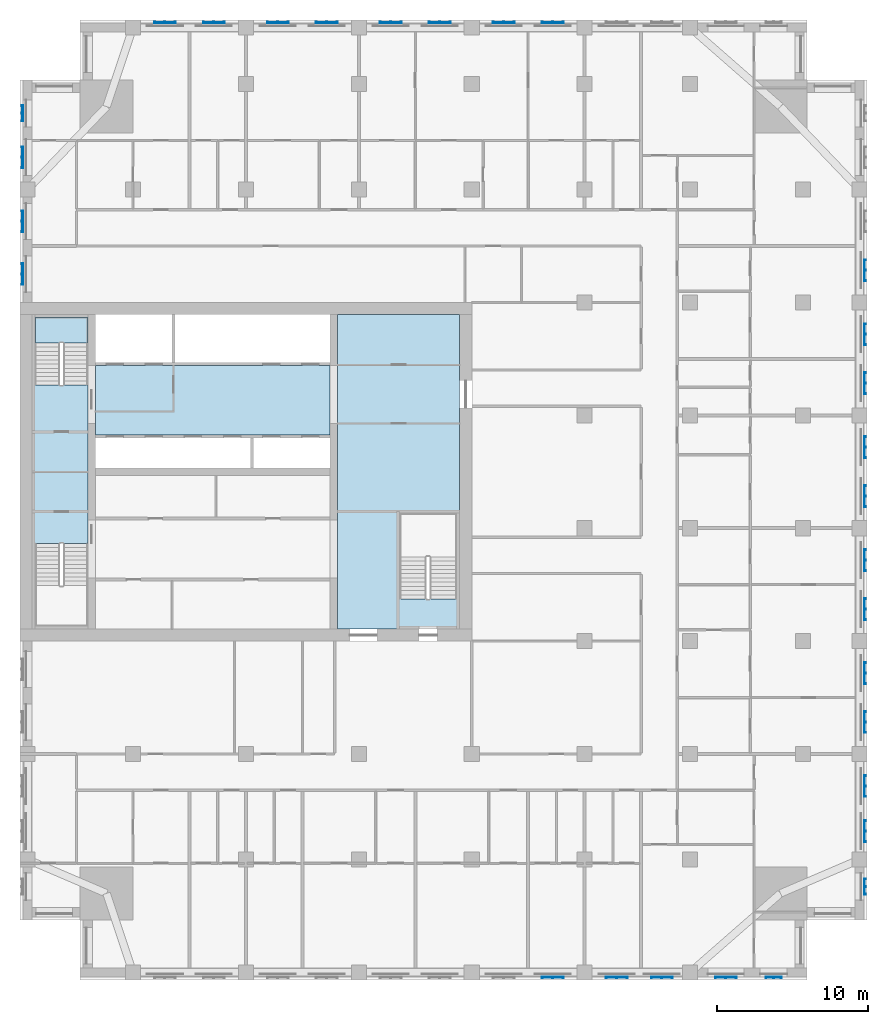
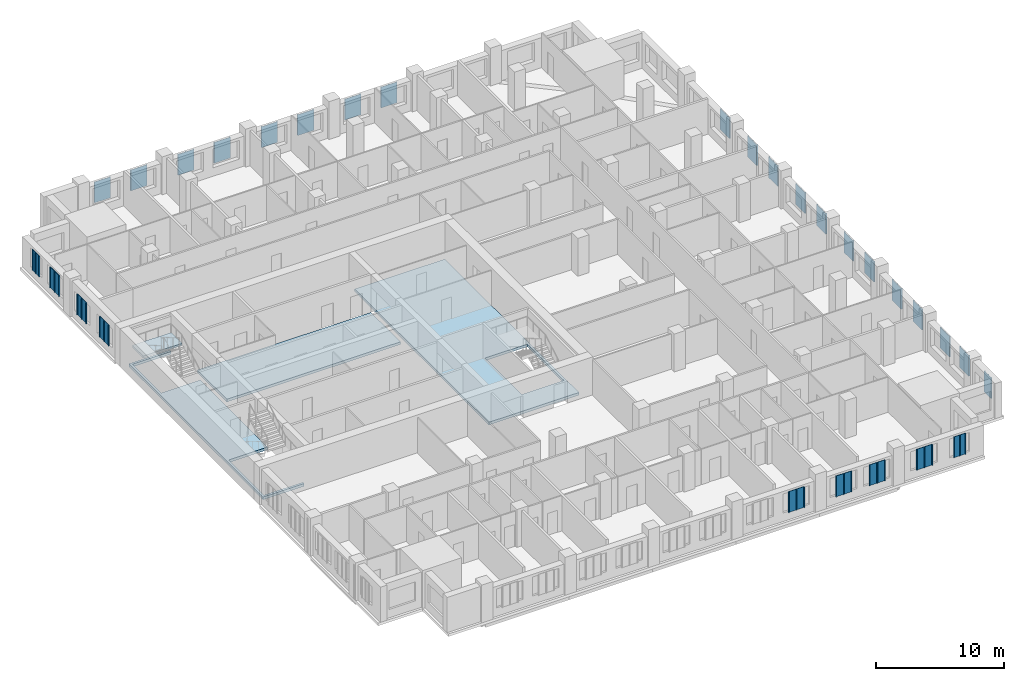
# One storey, part 2 of 14: 29 plates, 4 slabs, 1 element without a shape of its own.
"""IFC4 building model written with IfcOpenShell, lengths in metres."""

from ifc_helpers import new_model, si_unit, direction, frame, origin, place, context, subcontext, project, spatial, polyline, outline, extrude, material, layer, layer_set, type_object, element, aggregate, save


model = new_model("IFC4")

# Units and contexts
model_context = context("Model", 3, precision=1e-05, world=origin(), true_north=direction((0.0, 1.0)))
body_context = subcontext(model_context, "Body", "Model", "MODEL_VIEW")
ifc_project = project(units=[si_unit("LENGTHUNIT", "METRE"), si_unit("AREAUNIT", "SQUARE_METRE"), si_unit("VOLUMEUNIT", "CUBIC_METRE"), si_unit("PLANEANGLEUNIT", "RADIAN"), si_unit("MASSUNIT", "GRAM", prefix="KILO")], contexts=[model_context])

# Site, building, storey
site_placement = place(None, origin())
site = spatial("IfcSite", under=ifc_project, at=site_placement, CompositionType="ELEMENT")
building_placement = place(site_placement, origin())
building = spatial("IfcBuilding", under=site, at=building_placement, Name="Tamorin Gate", CompositionType="ELEMENT")
storey_placement = place(building_placement, frame((0.0, 0.0, 141.0)))
storey = spatial("IfcBuildingStorey", under=building, at=storey_placement, Name="L34", CompositionType="ELEMENT", Elevation=141.0)

# Slabs
ifc_material_1 = material(Name="Concrete C40/50", Category="concrete")
ifc_layer_1 = layer(ifc_material_1, 0.25)
ifc_layer_set_1 = layer_set([ifc_layer_1], Name="Core floor slab 250 C40/50")
slab_type_1 = type_object("IfcSlabType", Name="Core floor slab 250 C40/50", PredefinedType="FLOOR", material=ifc_layer_set_1)
slab_1_placement = place(storey_placement, frame((0.0, 0.0, -0.25)))
element("IfcSlab", 1, at=slab_1_placement, inside=storey, type_object=slab_type_1, Name="Core floor L34", PredefinedType="FLOOR", context=body_context, shape_type="SweptSolid", body=[
    extrude(outline(polyline([(51.10009765625, 81.699951171875), (59.199951171875, 81.699951171875), (59.199951171875, 60.800048828125), (51.10009765625, 60.800048828125), (51.10009765625, 81.699951171875)]), holes=[polyline([(55.199951171875, 62.800048828125), (59.0, 62.800048828125), (59.0, 68.5), (55.199951171875, 68.5), (55.199951171875, 62.800048828125)])]), origin(), (0.0, 0.0, 1.0), 0.25),
])
slab_2_placement = place(storey_placement, frame((0.0, 0.0, -0.25)))
element("IfcSlab", 2, at=slab_2_placement, inside=storey, type_object=slab_type_1, Name="Core floor L34", PredefinedType="FLOOR", context=body_context, shape_type="SweptSolid", body=[
    extrude(outline(polyline([(50.60009765625, 73.699951171875), (35.0, 73.699951171875), (35.0, 78.300048828125), (50.60009765625, 78.300048828125), (50.60009765625, 73.699951171875)])), origin(), (0.0, 0.0, 1.0), 0.25),
])
slab_3_placement = place(storey_placement, frame((0.0, 0.0, -0.25)))
element("IfcSlab", 3, at=slab_3_placement, inside=storey, type_object=slab_type_1, Name="Core floor L34", PredefinedType="FLOOR", context=body_context, shape_type="SweptSolid", body=[
    extrude(outline(polyline([(34.5, 60.800048828125), (30.800048828125, 60.800048828125), (30.800048828125, 81.699951171875), (34.5, 81.699951171875), (34.5, 81.5), (31.0, 81.5), (31.0, 77.0), (34.5, 77.0), (34.5, 66.5), (31.0, 66.5), (31.0, 61.0), (34.5, 61.0), (34.5, 60.800048828125)])), origin(), (0.0, 0.0, 1.0), 0.25),
])

# Stair, slab
stair_type = type_object("IfcStairType", Name="Exit stair", PredefinedType="HALF_TURN_STAIR", material=ifc_material_1)
stair_placement = place(storey_placement, origin())
stair = element("IfcStair", 4, at=stair_placement, inside=storey, type_object=stair_type, Name="L34 stair ST2", PredefinedType="HALF_TURN_STAIR")
ifc_layer_2 = layer(ifc_material_1, 0.199951171875)
ifc_layer_set_2 = layer_set([ifc_layer_2], Name="Exit stair landing 200")
slab_type_2 = type_object("IfcSlabType", Name="Exit stair landing 200", PredefinedType="LANDING", material=ifc_layer_set_2)
slab_4_placement = place(storey_placement, frame((0.0, 0.0, 1.60009765625)))
slab_4 = element("IfcSlab", 5, at=slab_4_placement, type_object=slab_type_2, Name="ST2 landing 1", PredefinedType="LANDING", context=body_context, shape_type="SweptSolid", body=[
    extrude(outline(polyline([(34.5, 79.800048828125), (34.5, 81.5), (31.0, 81.5), (31.0, 79.800048828125), (34.5, 79.800048828125)])), origin(), (0.0, 0.0, 1.0), 0.199951171875),
])
aggregate(stair, [slab_4])

# Plates
ifc_material_2 = material(Name="Perforated pale aluminium sheet", Category="aluminium")
ifc_layer_3 = layer(ifc_material_2, 0.0400390625)
ifc_layer_set_3 = layer_set([ifc_layer_3], Name="Pale metal solar screen 1080")
plate_type_1 = type_object("IfcPlateType", Name="Pale metal solar screen 1080", PredefinedType="SHEET", material=ifc_layer_set_3)
plate_1_placement = place(storey_placement, frame((0.0, 0.0, 0.7099609375)))
element("IfcPlate", 6, at=plate_1_placement, inside=storey, type_object=plate_type_1, Name="Perforated solar screen", PredefinedType="SHEET", context=body_context, shape_type="SweptSolid", body=[
    extrude(outline(polyline([(79.510009765625, 37.659912109375), (79.510009765625, 37.699951171875), (79.570068359375, 37.699951171875), (80.02001953125, 37.699951171875), (80.080078125, 37.699951171875), (80.530029296875, 37.699951171875), (80.590087890625, 37.699951171875), (80.590087890625, 37.659912109375), (80.590087890625, 37.60009765625), (80.530029296875, 37.60009765625), (80.530029296875, 37.659912109375), (80.080078125, 37.659912109375), (80.080078125, 37.60009765625), (80.02001953125, 37.60009765625), (80.02001953125, 37.659912109375), (79.570068359375, 37.659912109375), (79.570068359375, 37.60009765625), (79.510009765625, 37.60009765625), (79.510009765625, 37.659912109375)])), origin(), (0.0, 0.0, 1.0), 1.97998046875),
])
plate_2_placement = place(storey_placement, frame((0.0, 0.0, 0.7099609375)))
element("IfcPlate", 7, at=plate_2_placement, inside=storey, type_object=plate_type_1, Name="Perforated solar screen", PredefinedType="SHEET", context=body_context, shape_type="SweptSolid", body=[
    extrude(outline(polyline([(86.090087890625, 43.159912109375), (86.050048828125, 43.159912109375), (86.050048828125, 43.219970703125), (86.050048828125, 43.669921875), (86.050048828125, 43.72998046875), (86.050048828125, 44.179931640625), (86.050048828125, 44.239990234375), (86.090087890625, 44.239990234375), (86.14990234375, 44.239990234375), (86.14990234375, 44.179931640625), (86.090087890625, 44.179931640625), (86.090087890625, 43.72998046875), (86.14990234375, 43.72998046875), (86.14990234375, 43.669921875), (86.090087890625, 43.669921875), (86.090087890625, 43.219970703125), (86.14990234375, 43.219970703125), (86.14990234375, 43.159912109375), (86.090087890625, 43.159912109375)])), origin(), (0.0, 0.0, 1.0), 1.97998046875),
])
plate_3_placement = place(storey_placement, frame((0.0, 0.0, 0.7099609375)))
element("IfcPlate", 8, at=plate_3_placement, inside=storey, type_object=plate_type_1, Name="Perforated solar screen", PredefinedType="SHEET", context=body_context, shape_type="SweptSolid", body=[
    extrude(outline(polyline([(30.159912109375, 95.590087890625), (30.199951171875, 95.590087890625), (30.199951171875, 95.530029296875), (30.199951171875, 95.080078125), (30.199951171875, 95.02001953125), (30.199951171875, 94.570068359375), (30.199951171875, 94.510009765625), (30.159912109375, 94.510009765625), (30.10009765625, 94.510009765625), (30.10009765625, 94.570068359375), (30.159912109375, 94.570068359375), (30.159912109375, 95.02001953125), (30.10009765625, 95.02001953125), (30.10009765625, 95.080078125), (30.159912109375, 95.080078125), (30.159912109375, 95.530029296875), (30.10009765625, 95.530029296875), (30.10009765625, 95.590087890625), (30.159912109375, 95.590087890625)])), origin(), (0.0, 0.0, 1.0), 1.97998046875),
])
ifc_layer_4 = layer(ifc_material_2, 0.0400390625)
ifc_layer_set_4 = layer_set([ifc_layer_4], Name="Pale metal solar screen 1440")
plate_type_2 = type_object("IfcPlateType", Name="Pale metal solar screen 1440", PredefinedType="SHEET", material=ifc_layer_set_4)
plate_4_placement = place(storey_placement, frame((0.0, 0.0, 0.7099609375)))
element("IfcPlate", 9, at=plate_4_placement, inside=storey, type_object=plate_type_2, Name="Perforated solar screen", PredefinedType="SHEET", context=body_context, shape_type="SweptSolid", body=[
    extrude(outline(polyline([(64.655029296875, 37.659912109375), (64.655029296875, 37.699951171875), (64.715087890625, 37.699951171875), (65.344970703125, 37.699951171875), (65.405029296875, 37.699951171875), (66.034912109375, 37.699951171875), (66.094970703125, 37.699951171875), (66.094970703125, 37.659912109375), (66.094970703125, 37.60009765625), (66.034912109375, 37.60009765625), (66.034912109375, 37.659912109375), (65.405029296875, 37.659912109375), (65.405029296875, 37.60009765625), (65.344970703125, 37.60009765625), (65.344970703125, 37.659912109375), (64.715087890625, 37.659912109375), (64.715087890625, 37.60009765625), (64.655029296875, 37.60009765625), (64.655029296875, 37.659912109375)])), origin(), (0.0, 0.0, 1.0), 1.97998046875),
])
plate_5_placement = place(storey_placement, frame((0.0, 0.0, 0.7099609375)))
element("IfcPlate", 10, at=plate_5_placement, inside=storey, type_object=plate_type_2, Name="Perforated solar screen", PredefinedType="SHEET", context=body_context, shape_type="SweptSolid", body=[
    extrude(outline(polyline([(68.905029296875, 37.659912109375), (68.905029296875, 37.699951171875), (68.965087890625, 37.699951171875), (69.594970703125, 37.699951171875), (69.655029296875, 37.699951171875), (70.284912109375, 37.699951171875), (70.344970703125, 37.699951171875), (70.344970703125, 37.659912109375), (70.344970703125, 37.60009765625), (70.284912109375, 37.60009765625), (70.284912109375, 37.659912109375), (69.655029296875, 37.659912109375), (69.655029296875, 37.60009765625), (69.594970703125, 37.60009765625), (69.594970703125, 37.659912109375), (68.965087890625, 37.659912109375), (68.965087890625, 37.60009765625), (68.905029296875, 37.60009765625), (68.905029296875, 37.659912109375)])), origin(), (0.0, 0.0, 1.0), 1.97998046875),
])
plate_6_placement = place(storey_placement, frame((0.0, 0.0, 0.7099609375)))
element("IfcPlate", 11, at=plate_6_placement, inside=storey, type_object=plate_type_2, Name="Perforated solar screen", PredefinedType="SHEET", context=body_context, shape_type="SweptSolid", body=[
    extrude(outline(polyline([(71.905029296875, 37.659912109375), (71.905029296875, 37.699951171875), (71.965087890625, 37.699951171875), (72.594970703125, 37.699951171875), (72.655029296875, 37.699951171875), (73.284912109375, 37.699951171875), (73.344970703125, 37.699951171875), (73.344970703125, 37.659912109375), (73.344970703125, 37.60009765625), (73.284912109375, 37.60009765625), (73.284912109375, 37.659912109375), (72.655029296875, 37.659912109375), (72.655029296875, 37.60009765625), (72.594970703125, 37.60009765625), (72.594970703125, 37.659912109375), (71.965087890625, 37.659912109375), (71.965087890625, 37.60009765625), (71.905029296875, 37.60009765625), (71.905029296875, 37.659912109375)])), origin(), (0.0, 0.0, 1.0), 1.97998046875),
])
plate_7_placement = place(storey_placement, frame((0.0, 0.0, 0.7099609375)))
element("IfcPlate", 12, at=plate_7_placement, inside=storey, type_object=plate_type_2, Name="Perforated solar screen", PredefinedType="SHEET", context=body_context, shape_type="SweptSolid", body=[
    extrude(outline(polyline([(76.155029296875, 37.659912109375), (76.155029296875, 37.699951171875), (76.215087890625, 37.699951171875), (76.844970703125, 37.699951171875), (76.905029296875, 37.699951171875), (77.534912109375, 37.699951171875), (77.594970703125, 37.699951171875), (77.594970703125, 37.659912109375), (77.594970703125, 37.60009765625), (77.534912109375, 37.60009765625), (77.534912109375, 37.659912109375), (76.905029296875, 37.659912109375), (76.905029296875, 37.60009765625), (76.844970703125, 37.60009765625), (76.844970703125, 37.659912109375), (76.215087890625, 37.659912109375), (76.215087890625, 37.60009765625), (76.155029296875, 37.60009765625), (76.155029296875, 37.659912109375)])), origin(), (0.0, 0.0, 1.0), 1.97998046875),
])
plate_8_placement = place(storey_placement, frame((0.0, 0.0, 0.7099609375)))
element("IfcPlate", 13, at=plate_8_placement, inside=storey, type_object=plate_type_2, Name="Perforated solar screen", PredefinedType="SHEET", context=body_context, shape_type="SweptSolid", body=[
    extrude(outline(polyline([(86.090087890625, 46.655029296875), (86.050048828125, 46.655029296875), (86.050048828125, 46.715087890625), (86.050048828125, 47.344970703125), (86.050048828125, 47.405029296875), (86.050048828125, 48.034912109375), (86.050048828125, 48.094970703125), (86.050048828125, 48.094970703125), (86.090087890625, 48.094970703125), (86.090087890625, 48.094970703125), (86.14990234375, 48.094970703125), (86.14990234375, 48.034912109375), (86.090087890625, 48.034912109375), (86.090087890625, 47.405029296875), (86.14990234375, 47.405029296875), (86.14990234375, 47.344970703125), (86.090087890625, 47.344970703125), (86.090087890625, 46.715087890625), (86.14990234375, 46.715087890625), (86.14990234375, 46.655029296875), (86.090087890625, 46.655029296875)])), origin(), (0.0, 0.0, 1.0), 1.97998046875),
])
plate_9_placement = place(storey_placement, frame((0.0, 0.0, 0.7099609375)))
element("IfcPlate", 14, at=plate_9_placement, inside=storey, type_object=plate_type_2, Name="Perforated solar screen", PredefinedType="SHEET", context=body_context, shape_type="SweptSolid", body=[
    extrude(outline(polyline([(86.090087890625, 49.655029296875), (86.050048828125, 49.655029296875), (86.050048828125, 49.715087890625), (86.050048828125, 50.344970703125), (86.050048828125, 50.405029296875), (86.050048828125, 51.034912109375), (86.050048828125, 51.094970703125), (86.090087890625, 51.094970703125), (86.14990234375, 51.094970703125), (86.14990234375, 51.034912109375), (86.090087890625, 51.034912109375), (86.090087890625, 50.405029296875), (86.14990234375, 50.405029296875), (86.14990234375, 50.344970703125), (86.090087890625, 50.344970703125), (86.090087890625, 49.715087890625), (86.14990234375, 49.715087890625), (86.14990234375, 49.655029296875), (86.090087890625, 49.655029296875)])), origin(), (0.0, 0.0, 1.0), 1.97998046875),
])
plate_10_placement = place(storey_placement, frame((0.0, 0.0, 0.7099609375)))
element("IfcPlate", 15, at=plate_10_placement, inside=storey, type_object=plate_type_2, Name="Perforated solar screen", PredefinedType="SHEET", context=body_context, shape_type="SweptSolid", body=[
    extrude(outline(polyline([(86.090087890625, 53.905029296875), (86.050048828125, 53.905029296875), (86.050048828125, 53.965087890625), (86.050048828125, 54.594970703125), (86.050048828125, 54.655029296875), (86.050048828125, 55.284912109375), (86.050048828125, 55.344970703125), (86.090087890625, 55.344970703125), (86.14990234375, 55.344970703125), (86.14990234375, 55.284912109375), (86.090087890625, 55.284912109375), (86.090087890625, 54.655029296875), (86.14990234375, 54.655029296875), (86.14990234375, 54.594970703125), (86.090087890625, 54.594970703125), (86.090087890625, 53.965087890625), (86.14990234375, 53.965087890625), (86.14990234375, 53.905029296875), (86.090087890625, 53.905029296875)])), origin(), (0.0, 0.0, 1.0), 1.97998046875),
])
plate_11_placement = place(storey_placement, frame((0.0, 0.0, 0.7099609375)))
element("IfcPlate", 16, at=plate_11_placement, inside=storey, type_object=plate_type_2, Name="Perforated solar screen", PredefinedType="SHEET", context=body_context, shape_type="SweptSolid", body=[
    extrude(outline(polyline([(86.090087890625, 57.155029296875), (86.050048828125, 57.155029296875), (86.050048828125, 57.215087890625), (86.050048828125, 57.844970703125), (86.050048828125, 57.905029296875), (86.050048828125, 58.534912109375), (86.050048828125, 58.594970703125), (86.090087890625, 58.594970703125), (86.14990234375, 58.594970703125), (86.14990234375, 58.534912109375), (86.090087890625, 58.534912109375), (86.090087890625, 57.905029296875), (86.14990234375, 57.905029296875), (86.14990234375, 57.844970703125), (86.090087890625, 57.844970703125), (86.090087890625, 57.215087890625), (86.14990234375, 57.215087890625), (86.14990234375, 57.155029296875), (86.090087890625, 57.155029296875)])), origin(), (0.0, 0.0, 1.0), 1.97998046875),
])
plate_12_placement = place(storey_placement, frame((0.0, 0.0, 0.7099609375)))
element("IfcPlate", 17, at=plate_12_placement, inside=storey, type_object=plate_type_2, Name="Perforated solar screen", PredefinedType="SHEET", context=body_context, shape_type="SweptSolid", body=[
    extrude(outline(polyline([(86.090087890625, 61.405029296875), (86.050048828125, 61.405029296875), (86.050048828125, 61.465087890625), (86.050048828125, 62.094970703125), (86.050048828125, 62.155029296875), (86.050048828125, 62.784912109375), (86.050048828125, 62.844970703125), (86.090087890625, 62.844970703125), (86.14990234375, 62.844970703125), (86.14990234375, 62.784912109375), (86.090087890625, 62.784912109375), (86.090087890625, 62.155029296875), (86.14990234375, 62.155029296875), (86.14990234375, 62.094970703125), (86.090087890625, 62.094970703125), (86.090087890625, 61.465087890625), (86.14990234375, 61.465087890625), (86.14990234375, 61.405029296875), (86.090087890625, 61.405029296875)])), origin(), (0.0, 0.0, 1.0), 1.97998046875),
])
plate_13_placement = place(storey_placement, frame((0.0, 0.0, 0.7099609375)))
element("IfcPlate", 18, at=plate_13_placement, inside=storey, type_object=plate_type_2, Name="Perforated solar screen", PredefinedType="SHEET", context=body_context, shape_type="SweptSolid", body=[
    extrude(outline(polyline([(86.090087890625, 64.655029296875), (86.050048828125, 64.655029296875), (86.050048828125, 64.715087890625), (86.050048828125, 65.344970703125), (86.050048828125, 65.405029296875), (86.050048828125, 66.034912109375), (86.050048828125, 66.094970703125), (86.090087890625, 66.094970703125), (86.14990234375, 66.094970703125), (86.14990234375, 66.034912109375), (86.090087890625, 66.034912109375), (86.090087890625, 65.405029296875), (86.14990234375, 65.405029296875), (86.14990234375, 65.344970703125), (86.090087890625, 65.344970703125), (86.090087890625, 64.715087890625), (86.14990234375, 64.715087890625), (86.14990234375, 64.655029296875), (86.090087890625, 64.655029296875)])), origin(), (0.0, 0.0, 1.0), 1.97998046875),
])
plate_14_placement = place(storey_placement, frame((0.0, 0.0, 0.7099609375)))
element("IfcPlate", 19, at=plate_14_placement, inside=storey, type_object=plate_type_2, Name="Perforated solar screen", PredefinedType="SHEET", context=body_context, shape_type="SweptSolid", body=[
    extrude(outline(polyline([(86.090087890625, 68.905029296875), (86.050048828125, 68.905029296875), (86.050048828125, 68.965087890625), (86.050048828125, 69.594970703125), (86.050048828125, 69.655029296875), (86.050048828125, 70.284912109375), (86.050048828125, 70.344970703125), (86.090087890625, 70.344970703125), (86.14990234375, 70.344970703125), (86.14990234375, 70.284912109375), (86.090087890625, 70.284912109375), (86.090087890625, 69.655029296875), (86.14990234375, 69.655029296875), (86.14990234375, 69.594970703125), (86.090087890625, 69.594970703125), (86.090087890625, 68.965087890625), (86.14990234375, 68.965087890625), (86.14990234375, 68.905029296875), (86.090087890625, 68.905029296875)])), origin(), (0.0, 0.0, 1.0), 1.97998046875),
])
plate_15_placement = place(storey_placement, frame((0.0, 0.0, 0.7099609375)))
element("IfcPlate", 20, at=plate_15_placement, inside=storey, type_object=plate_type_2, Name="Perforated solar screen", PredefinedType="SHEET", context=body_context, shape_type="SweptSolid", body=[
    extrude(outline(polyline([(86.090087890625, 72.155029296875), (86.050048828125, 72.155029296875), (86.050048828125, 72.215087890625), (86.050048828125, 72.844970703125), (86.050048828125, 72.905029296875), (86.050048828125, 73.534912109375), (86.050048828125, 73.594970703125), (86.090087890625, 73.594970703125), (86.14990234375, 73.594970703125), (86.14990234375, 73.534912109375), (86.090087890625, 73.534912109375), (86.090087890625, 72.905029296875), (86.14990234375, 72.905029296875), (86.14990234375, 72.844970703125), (86.090087890625, 72.844970703125), (86.090087890625, 72.215087890625), (86.14990234375, 72.215087890625), (86.14990234375, 72.155029296875), (86.090087890625, 72.155029296875)])), origin(), (0.0, 0.0, 1.0), 1.97998046875),
])
plate_16_placement = place(storey_placement, frame((0.0, 0.0, 0.7099609375)))
element("IfcPlate", 21, at=plate_16_placement, inside=storey, type_object=plate_type_2, Name="Perforated solar screen", PredefinedType="SHEET", context=body_context, shape_type="SweptSolid", body=[
    extrude(outline(polyline([(86.090087890625, 76.405029296875), (86.050048828125, 76.405029296875), (86.050048828125, 76.465087890625), (86.050048828125, 77.094970703125), (86.050048828125, 77.155029296875), (86.050048828125, 77.784912109375), (86.050048828125, 77.844970703125), (86.090087890625, 77.844970703125), (86.14990234375, 77.844970703125), (86.14990234375, 77.784912109375), (86.090087890625, 77.784912109375), (86.090087890625, 77.155029296875), (86.14990234375, 77.155029296875), (86.14990234375, 77.094970703125), (86.090087890625, 77.094970703125), (86.090087890625, 76.465087890625), (86.14990234375, 76.465087890625), (86.14990234375, 76.405029296875), (86.090087890625, 76.405029296875)])), origin(), (0.0, 0.0, 1.0), 1.97998046875),
])
plate_17_placement = place(storey_placement, frame((0.0, 0.0, 0.7099609375)))
element("IfcPlate", 22, at=plate_17_placement, inside=storey, type_object=plate_type_2, Name="Perforated solar screen", PredefinedType="SHEET", context=body_context, shape_type="SweptSolid", body=[
    extrude(outline(polyline([(86.090087890625, 79.655029296875), (86.050048828125, 79.655029296875), (86.050048828125, 79.715087890625), (86.050048828125, 80.344970703125), (86.050048828125, 80.405029296875), (86.050048828125, 81.034912109375), (86.050048828125, 81.094970703125), (86.090087890625, 81.094970703125), (86.14990234375, 81.094970703125), (86.14990234375, 81.034912109375), (86.090087890625, 81.034912109375), (86.090087890625, 80.405029296875), (86.14990234375, 80.405029296875), (86.14990234375, 80.344970703125), (86.090087890625, 80.344970703125), (86.090087890625, 79.715087890625), (86.14990234375, 79.715087890625), (86.14990234375, 79.655029296875), (86.090087890625, 79.655029296875)])), origin(), (0.0, 0.0, 1.0), 1.97998046875),
])
plate_18_placement = place(storey_placement, frame((0.0, 0.0, 0.7099609375)))
element("IfcPlate", 23, at=plate_18_placement, inside=storey, type_object=plate_type_2, Name="Perforated solar screen", PredefinedType="SHEET", context=body_context, shape_type="SweptSolid", body=[
    extrude(outline(polyline([(86.090087890625, 83.905029296875), (86.050048828125, 83.905029296875), (86.050048828125, 83.965087890625), (86.050048828125, 84.594970703125), (86.050048828125, 84.655029296875), (86.050048828125, 85.284912109375), (86.050048828125, 85.344970703125), (86.090087890625, 85.344970703125), (86.14990234375, 85.344970703125), (86.14990234375, 85.284912109375), (86.090087890625, 85.284912109375), (86.090087890625, 84.655029296875), (86.14990234375, 84.655029296875), (86.14990234375, 84.594970703125), (86.090087890625, 84.594970703125), (86.090087890625, 83.965087890625), (86.14990234375, 83.965087890625), (86.14990234375, 83.905029296875), (86.090087890625, 83.905029296875)])), origin(), (0.0, 0.0, 1.0), 1.97998046875),
])
plate_19_placement = place(storey_placement, frame((0.0, 0.0, 0.7099609375)))
element("IfcPlate", 24, at=plate_19_placement, inside=storey, type_object=plate_type_2, Name="Perforated solar screen", PredefinedType="SHEET", context=body_context, shape_type="SweptSolid", body=[
    extrude(outline(polyline([(62.844970703125, 101.090087890625), (62.844970703125, 101.050048828125), (62.784912109375, 101.050048828125), (62.155029296875, 101.050048828125), (62.094970703125, 101.050048828125), (61.465087890625, 101.050048828125), (61.405029296875, 101.050048828125), (61.405029296875, 101.090087890625), (61.405029296875, 101.14990234375), (61.465087890625, 101.14990234375), (61.465087890625, 101.090087890625), (62.094970703125, 101.090087890625), (62.094970703125, 101.14990234375), (62.155029296875, 101.14990234375), (62.155029296875, 101.090087890625), (62.784912109375, 101.090087890625), (62.784912109375, 101.14990234375), (62.844970703125, 101.14990234375), (62.844970703125, 101.090087890625)])), origin(), (0.0, 0.0, 1.0), 1.97998046875),
])
plate_20_placement = place(storey_placement, frame((0.0, 0.0, 0.7099609375)))
element("IfcPlate", 25, at=plate_20_placement, inside=storey, type_object=plate_type_2, Name="Perforated solar screen", PredefinedType="SHEET", context=body_context, shape_type="SweptSolid", body=[
    extrude(outline(polyline([(66.094970703125, 101.090087890625), (66.094970703125, 101.050048828125), (66.034912109375, 101.050048828125), (65.405029296875, 101.050048828125), (65.344970703125, 101.050048828125), (64.715087890625, 101.050048828125), (64.655029296875, 101.050048828125), (64.655029296875, 101.090087890625), (64.655029296875, 101.14990234375), (64.715087890625, 101.14990234375), (64.715087890625, 101.090087890625), (65.344970703125, 101.090087890625), (65.344970703125, 101.14990234375), (65.405029296875, 101.14990234375), (65.405029296875, 101.090087890625), (66.034912109375, 101.090087890625), (66.034912109375, 101.14990234375), (66.094970703125, 101.14990234375), (66.094970703125, 101.090087890625)])), origin(), (0.0, 0.0, 1.0), 1.97998046875),
])
plate_21_placement = place(storey_placement, frame((0.0, 0.0, 0.7099609375)))
element("IfcPlate", 26, at=plate_21_placement, inside=storey, type_object=plate_type_2, Name="Perforated solar screen", PredefinedType="SHEET", context=body_context, shape_type="SweptSolid", body=[
    extrude(outline(polyline([(55.344970703125, 101.090087890625), (55.344970703125, 101.050048828125), (55.284912109375, 101.050048828125), (54.655029296875, 101.050048828125), (54.594970703125, 101.050048828125), (53.965087890625, 101.050048828125), (53.905029296875, 101.050048828125), (53.905029296875, 101.090087890625), (53.905029296875, 101.14990234375), (53.965087890625, 101.14990234375), (53.965087890625, 101.090087890625), (54.594970703125, 101.090087890625), (54.594970703125, 101.14990234375), (54.655029296875, 101.14990234375), (54.655029296875, 101.090087890625), (55.284912109375, 101.090087890625), (55.284912109375, 101.14990234375), (55.344970703125, 101.14990234375), (55.344970703125, 101.090087890625)])), origin(), (0.0, 0.0, 1.0), 1.97998046875),
])
plate_22_placement = place(storey_placement, frame((0.0, 0.0, 0.7099609375)))
element("IfcPlate", 27, at=plate_22_placement, inside=storey, type_object=plate_type_2, Name="Perforated solar screen", PredefinedType="SHEET", context=body_context, shape_type="SweptSolid", body=[
    extrude(outline(polyline([(58.594970703125, 101.090087890625), (58.594970703125, 101.050048828125), (58.534912109375, 101.050048828125), (57.905029296875, 101.050048828125), (57.844970703125, 101.050048828125), (57.215087890625, 101.050048828125), (57.155029296875, 101.050048828125), (57.155029296875, 101.090087890625), (57.155029296875, 101.14990234375), (57.215087890625, 101.14990234375), (57.215087890625, 101.090087890625), (57.844970703125, 101.090087890625), (57.844970703125, 101.14990234375), (57.905029296875, 101.14990234375), (57.905029296875, 101.090087890625), (58.534912109375, 101.090087890625), (58.534912109375, 101.14990234375), (58.594970703125, 101.14990234375), (58.594970703125, 101.090087890625)])), origin(), (0.0, 0.0, 1.0), 1.97998046875),
])
plate_23_placement = place(storey_placement, frame((0.0, 0.0, 0.7099609375)))
element("IfcPlate", 28, at=plate_23_placement, inside=storey, type_object=plate_type_2, Name="Perforated solar screen", PredefinedType="SHEET", context=body_context, shape_type="SweptSolid", body=[
    extrude(outline(polyline([(47.844970703125, 101.090087890625), (47.844970703125, 101.050048828125), (47.784912109375, 101.050048828125), (47.155029296875, 101.050048828125), (47.094970703125, 101.050048828125), (46.465087890625, 101.050048828125), (46.405029296875, 101.050048828125), (46.405029296875, 101.090087890625), (46.405029296875, 101.14990234375), (46.465087890625, 101.14990234375), (46.465087890625, 101.090087890625), (47.094970703125, 101.090087890625), (47.094970703125, 101.14990234375), (47.155029296875, 101.14990234375), (47.155029296875, 101.090087890625), (47.784912109375, 101.090087890625), (47.784912109375, 101.14990234375), (47.844970703125, 101.14990234375), (47.844970703125, 101.090087890625)])), origin(), (0.0, 0.0, 1.0), 1.97998046875),
])
plate_24_placement = place(storey_placement, frame((0.0, 0.0, 0.7099609375)))
element("IfcPlate", 29, at=plate_24_placement, inside=storey, type_object=plate_type_2, Name="Perforated solar screen", PredefinedType="SHEET", context=body_context, shape_type="SweptSolid", body=[
    extrude(outline(polyline([(51.094970703125, 101.090087890625), (51.094970703125, 101.050048828125), (51.034912109375, 101.050048828125), (50.405029296875, 101.050048828125), (50.344970703125, 101.050048828125), (49.715087890625, 101.050048828125), (49.655029296875, 101.050048828125), (49.655029296875, 101.090087890625), (49.655029296875, 101.14990234375), (49.715087890625, 101.14990234375), (49.715087890625, 101.090087890625), (50.344970703125, 101.090087890625), (50.344970703125, 101.14990234375), (50.405029296875, 101.14990234375), (50.405029296875, 101.090087890625), (51.034912109375, 101.090087890625), (51.034912109375, 101.14990234375), (51.094970703125, 101.14990234375), (51.094970703125, 101.090087890625)])), origin(), (0.0, 0.0, 1.0), 1.97998046875),
])
plate_25_placement = place(storey_placement, frame((0.0, 0.0, 0.7099609375)))
element("IfcPlate", 30, at=plate_25_placement, inside=storey, type_object=plate_type_2, Name="Perforated solar screen", PredefinedType="SHEET", context=body_context, shape_type="SweptSolid", body=[
    extrude(outline(polyline([(40.344970703125, 101.090087890625), (40.344970703125, 101.050048828125), (40.284912109375, 101.050048828125), (39.655029296875, 101.050048828125), (39.594970703125, 101.050048828125), (38.965087890625, 101.050048828125), (38.905029296875, 101.050048828125), (38.905029296875, 101.090087890625), (38.905029296875, 101.14990234375), (38.965087890625, 101.14990234375), (38.965087890625, 101.090087890625), (39.594970703125, 101.090087890625), (39.594970703125, 101.14990234375), (39.655029296875, 101.14990234375), (39.655029296875, 101.090087890625), (40.284912109375, 101.090087890625), (40.284912109375, 101.14990234375), (40.344970703125, 101.14990234375), (40.344970703125, 101.090087890625)])), origin(), (0.0, 0.0, 1.0), 1.97998046875),
])
plate_26_placement = place(storey_placement, frame((0.0, 0.0, 0.7099609375)))
element("IfcPlate", 31, at=plate_26_placement, inside=storey, type_object=plate_type_2, Name="Perforated solar screen", PredefinedType="SHEET", context=body_context, shape_type="SweptSolid", body=[
    extrude(outline(polyline([(43.594970703125, 101.090087890625), (43.594970703125, 101.050048828125), (43.534912109375, 101.050048828125), (42.905029296875, 101.050048828125), (42.844970703125, 101.050048828125), (42.215087890625, 101.050048828125), (42.155029296875, 101.050048828125), (42.155029296875, 101.090087890625), (42.155029296875, 101.14990234375), (42.215087890625, 101.14990234375), (42.215087890625, 101.090087890625), (42.844970703125, 101.090087890625), (42.844970703125, 101.14990234375), (42.905029296875, 101.14990234375), (42.905029296875, 101.090087890625), (43.534912109375, 101.090087890625), (43.534912109375, 101.14990234375), (43.594970703125, 101.14990234375), (43.594970703125, 101.090087890625)])), origin(), (0.0, 0.0, 1.0), 1.97998046875),
])
plate_27_placement = place(storey_placement, frame((0.0, 0.0, 0.7099609375)))
element("IfcPlate", 32, at=plate_27_placement, inside=storey, type_object=plate_type_2, Name="Perforated solar screen", PredefinedType="SHEET", context=body_context, shape_type="SweptSolid", body=[
    extrude(outline(polyline([(30.159912109375, 92.844970703125), (30.199951171875, 92.844970703125), (30.199951171875, 92.784912109375), (30.199951171875, 92.155029296875), (30.199951171875, 92.094970703125), (30.199951171875, 91.465087890625), (30.199951171875, 91.405029296875), (30.199951171875, 91.405029296875), (30.159912109375, 91.405029296875), (30.159912109375, 91.405029296875), (30.10009765625, 91.405029296875), (30.10009765625, 91.465087890625), (30.159912109375, 91.465087890625), (30.159912109375, 92.094970703125), (30.10009765625, 92.094970703125), (30.10009765625, 92.155029296875), (30.159912109375, 92.155029296875), (30.159912109375, 92.784912109375), (30.10009765625, 92.784912109375), (30.10009765625, 92.844970703125), (30.159912109375, 92.844970703125)])), origin(), (0.0, 0.0, 1.0), 1.97998046875),
])
plate_28_placement = place(storey_placement, frame((0.0, 0.0, 0.7099609375)))
element("IfcPlate", 33, at=plate_28_placement, inside=storey, type_object=plate_type_2, Name="Perforated solar screen", PredefinedType="SHEET", context=body_context, shape_type="SweptSolid", body=[
    extrude(outline(polyline([(30.159912109375, 85.094970703125), (30.199951171875, 85.094970703125), (30.199951171875, 85.034912109375), (30.199951171875, 84.405029296875), (30.199951171875, 84.344970703125), (30.199951171875, 83.715087890625), (30.199951171875, 83.655029296875), (30.159912109375, 83.655029296875), (30.10009765625, 83.655029296875), (30.10009765625, 83.715087890625), (30.159912109375, 83.715087890625), (30.159912109375, 84.344970703125), (30.10009765625, 84.344970703125), (30.10009765625, 84.405029296875), (30.159912109375, 84.405029296875), (30.159912109375, 85.034912109375), (30.10009765625, 85.034912109375), (30.10009765625, 85.094970703125), (30.159912109375, 85.094970703125)])), origin(), (0.0, 0.0, 1.0), 1.97998046875),
])
plate_29_placement = place(storey_placement, frame((0.0, 0.0, 0.7099609375)))
element("IfcPlate", 34, at=plate_29_placement, inside=storey, type_object=plate_type_2, Name="Perforated solar screen", PredefinedType="SHEET", context=body_context, shape_type="SweptSolid", body=[
    extrude(outline(polyline([(30.159912109375, 88.594970703125), (30.199951171875, 88.594970703125), (30.199951171875, 88.534912109375), (30.199951171875, 87.905029296875), (30.199951171875, 87.844970703125), (30.199951171875, 87.215087890625), (30.199951171875, 87.155029296875), (30.159912109375, 87.155029296875), (30.10009765625, 87.155029296875), (30.10009765625, 87.215087890625), (30.159912109375, 87.215087890625), (30.159912109375, 87.844970703125), (30.10009765625, 87.844970703125), (30.10009765625, 87.905029296875), (30.159912109375, 87.905029296875), (30.159912109375, 88.534912109375), (30.10009765625, 88.534912109375), (30.10009765625, 88.594970703125), (30.159912109375, 88.594970703125)])), origin(), (0.0, 0.0, 1.0), 1.97998046875),
])

save(model, "model.ifc")
